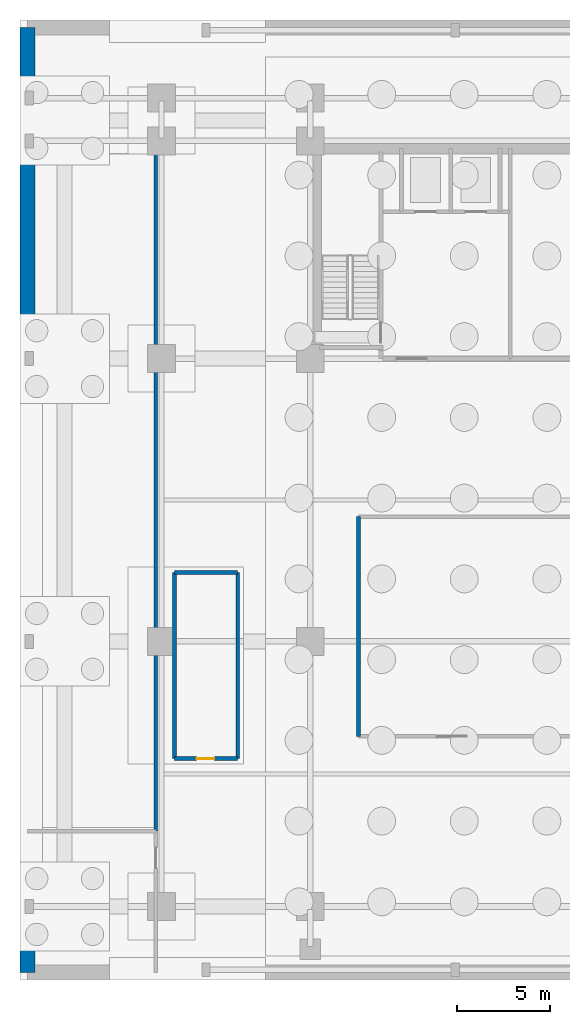
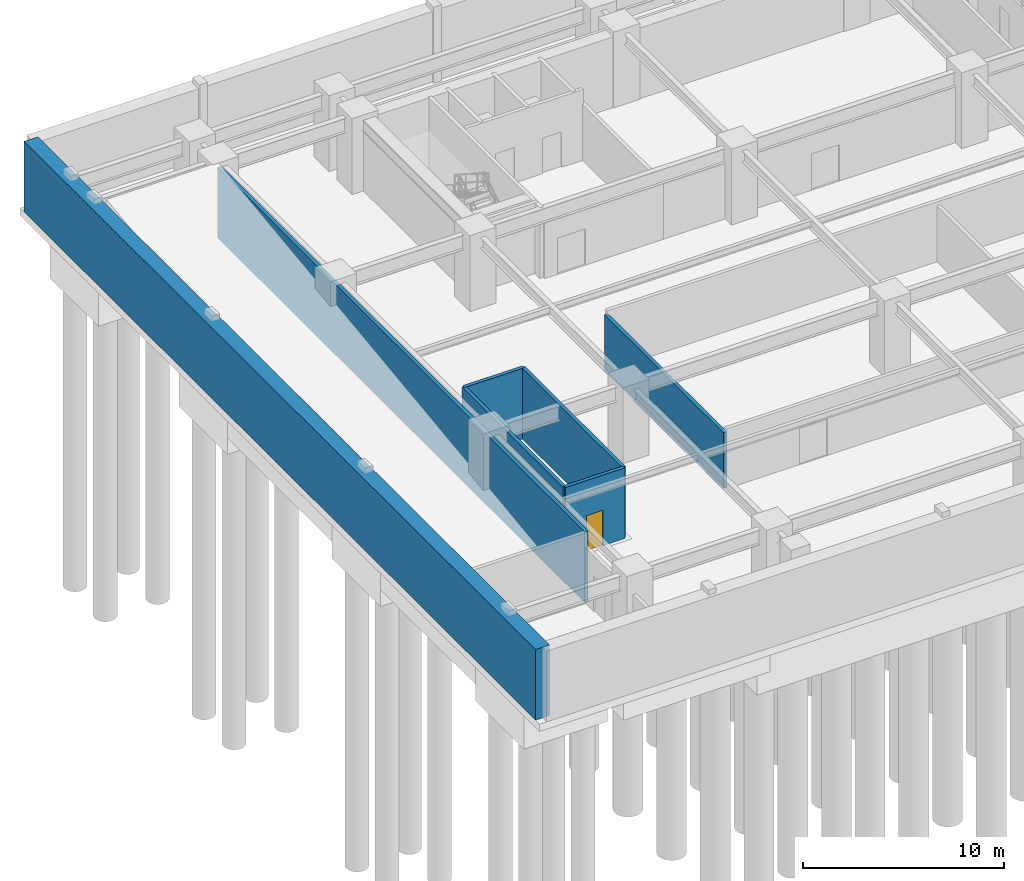
# One storey, part 4 of 9: 7 walls, 1 door, 1 opening.
"""IFC4 building model written with IfcOpenShell, lengths in metres."""

from ifc_helpers import new_model, si_unit, direction, frame, frame_2d, origin, place, context, subcontext, project, spatial, rectangle, extrude, source, transform, mapped, material, layer, layer_set, type_object, element, fill, save


model = new_model("IFC4")

# Units and contexts
model_context = context("Model", 3, precision=1e-05, world=origin(), true_north=direction((0.0, 1.0)))
body_context = subcontext(model_context, "Body", "Model", "MODEL_VIEW")
ifc_project = project(units=[si_unit("LENGTHUNIT", "METRE"), si_unit("AREAUNIT", "SQUARE_METRE"), si_unit("VOLUMEUNIT", "CUBIC_METRE"), si_unit("PLANEANGLEUNIT", "RADIAN"), si_unit("MASSUNIT", "GRAM", prefix="KILO")], contexts=[model_context])

# Site, building, storey
site_placement = place(None, origin())
site = spatial("IfcSite", under=ifc_project, at=site_placement, CompositionType="ELEMENT")
building_placement = place(site_placement, origin())
building = spatial("IfcBuilding", under=site, at=building_placement, Name="Trelvane Seafront Commons", CompositionType="ELEMENT")
storey_placement = place(building_placement, frame((0.0, 0.0, -13.199951171875)))
storey = spatial("IfcBuildingStorey", under=building, at=storey_placement, Name="B03", CompositionType="ELEMENT", Elevation=-13.199951171875)

# Walls
ifc_material_1 = material(Name="Concrete C40/50", Category="concrete")
ifc_layer_1 = layer(ifc_material_1, 0.199951171875, Name="ARCH-WALL-FIRE200")
ifc_layer_set_1 = layer_set([ifc_layer_1], Name="Concrete C40/50")
wall_type_1 = type_object("IfcWallType", Name="ARCH-WALL-FIRE200", PredefinedType="PARTITIONING", material=ifc_layer_set_1)
wall_1_placement = place(storey_placement, frame((18.199951171875, 13.10009765625, 0.0), z_axis=(0.0, 0.0, 1.0), x_axis=(0.0, 1.0, 0.0)))
element("IfcWall", 1, at=wall_1_placement, inside=storey, type_object=wall_type_1, Name="W-B03-BM-IS-W-036", PredefinedType="PARTITIONING", context=body_context, shape_type="SweptSolid", body=[
    extrude(rectangle(XDim=11.7998046875, YDim=0.199951171875, at=frame_2d((5.89990234375, 0.0))), origin(), (0.0, 0.0, 1.0), 3.3798828125),
])
ifc_material_2 = material(Name="Concrete C50/60", Category="concrete")
ifc_layer_2 = layer(ifc_material_2, 0.800048828125, Name="STR-WALL-RET800")
ifc_layer_set_2 = layer_set([ifc_layer_2], Name="Concrete C50/60")
wall_type_2 = type_object("IfcWallType", Name="STR-WALL-RET800", PredefinedType="USERDEFINED", material=ifc_layer_set_2)
wall_2_placement = place(storey_placement, frame((0.39990234375, 51.199951171875, 0.0), z_axis=(0.0, 0.0, 1.0), x_axis=(0.0, -1.0, 0.0)))
element("IfcWall", 2, at=wall_2_placement, inside=storey, type_object=wall_type_2, Name="RET-B03-04", ObjectType="RETAINING WALL", PredefinedType="USERDEFINED", context=body_context, shape_type="SweptSolid", body=[
    extrude(rectangle(XDim=50.800048828125, YDim=0.800048828125, at=frame_2d((25.39990234375, 0.0))), origin(), (0.0, 0.0, 1.0), 4.280029296875),
])
ifc_layer_3 = layer(ifc_material_2, 0.199951171875, Name="STR-WALL-STAIR200")
ifc_layer_set_3 = layer_set([ifc_layer_3], Name="Concrete C50/60")
wall_type_3 = type_object("IfcWallType", Name="STR-WALL-STAIR200", PredefinedType="SHEAR", material=ifc_layer_set_3)
for number, where, z_axis, x_axis, name in (
    (3, (8.300048828125, 11.89990234375, 0.0), (0.0, 0.0, 1.0), (0.0, 1.0, 0.0), "W-B03-ST3B-W-008"),
    (4, (11.699951171875, 11.89990234375, 0.0), (0.0, 0.0, 1.0), (0.0, 1.0, 0.0), "W-B03-ST3B-E-009"),
):
    element("IfcWall", number, at=place(storey_placement, frame(where, z_axis=z_axis, x_axis=x_axis)), inside=storey, type_object=wall_type_3, Name=name, PredefinedType="SHEAR", context=body_context, shape_type="SweptSolid", body=[
        extrude(rectangle(XDim=10.0, YDim=0.199951171875, at=frame_2d((5.0, 0.0))), origin(), (0.0, 0.0, 1.0), 4.280029296875),
    ])

# Wall, opening, door
wall_3_placement = place(storey_placement, frame((8.300048828125, 11.89990234375, 0.0), z_axis=(0.0, 0.0, 1.0), x_axis=(1.0, 0.0, 0.0)))
wall_3 = element("IfcWall", 5, at=wall_3_placement, inside=storey, type_object=wall_type_3, Name="W-B03-ST3B-S-010", PredefinedType="SHEAR", context=body_context, shape_type="SweptSolid", body=[
    extrude(rectangle(XDim=3.39990234375, YDim=0.199951171875, at=frame_2d((1.699951171875, 0.0))), origin(), (0.0, 0.0, 1.0), 4.280029296875),
])
opening_placement = place(wall_3_placement, frame((1.199951171875, 0.0, 0.0)))
opening = element("IfcOpeningElement", 6, at=opening_placement, cuts=wall_3, Name="Opening FD-B03-03", PredefinedType="OPENING", context=body_context, shape_type="SweptSolid", body=[
    extrude(rectangle(XDim=0.949951171875, YDim=2.14990234375, at=frame_2d((0.47509765625, 1.074951171875))), frame((0.0, 0.10986328125, 0.0), z_axis=(0.0, -1.0, 0.0), x_axis=(1.0, 0.0, 0.0)), (0.0, 0.0, 1.0), 0.219970703125),
])
ifc_material_3 = material(Name="Powder-coated aluminium frame", Category="aluminium")
door_type = type_object("IfcDoorType", Name="ARCH-DR-FD60-950", OperationType="NOTDEFINED", PredefinedType="DOOR", material=ifc_material_3)
shared_shape = source(origin(), body_context, "Body", "SweptSolid", [
    extrude(rectangle(XDim=0.949951171875, YDim=2.14990234375, at=frame_2d((0.47509765625, 1.074951171875))), frame((0.0, 0.02490234375, 0.0), z_axis=(0.0, -1.0, 0.0), x_axis=(1.0, 0.0, 0.0)), (0.0, 0.0, 1.0), 0.050048828125),
])
door_placement = place(opening_placement, origin())
door = element("IfcDoor", 7, at=door_placement, inside=storey, type_object=door_type, Name="B03 Door 03", OperationType="SINGLE_SWING_LEFT", OverallHeight=2.14990234375, OverallWidth=0.949951171875, PredefinedType="DOOR", context=body_context, shape_type="MappedRepresentation", body=[
    mapped(shared_shape, transform((0.0, 0.0, 0.0), x_axis=(1.0, 0.0, 0.0), y_axis=(0.0, 1.0, 0.0), z_axis=(0.0, 0.0, 1.0), scale=1.0)),
])
fill(opening, door)

# Walls
wall_4_placement = place(storey_placement, frame((8.300048828125, 21.89990234375, 0.0), z_axis=(0.0, 0.0, 1.0), x_axis=(1.0, 0.0, 0.0)))
element("IfcWall", 8, at=wall_4_placement, inside=storey, type_object=wall_type_3, Name="W-B03-ST3B-N-011", PredefinedType="SHEAR", context=body_context, shape_type="SweptSolid", body=[
    extrude(rectangle(XDim=3.39990234375, YDim=0.199951171875, at=frame_2d((1.699951171875, 0.0))), origin(), (0.0, 0.0, 1.0), 4.280029296875),
])
wall_5_placement = place(storey_placement, frame((7.300048828125, 8.0, 0.0), z_axis=(0.0, 0.0, 1.0), x_axis=(0.0, 1.0, 0.0)))
element("IfcWall", 9, at=wall_5_placement, inside=storey, type_object=wall_type_3, Name="W-B03-RMP-E-B3-039", PredefinedType="SHEAR", context=body_context, shape_type="SweptSolid", body=[
    extrude(rectangle(XDim=36.449951171875, YDim=0.199951171875, at=frame_2d((18.22509765625, 0.0))), origin(), (0.0, 0.0, 1.0), 4.280029296875),
])

save(model, "model.ifc")
